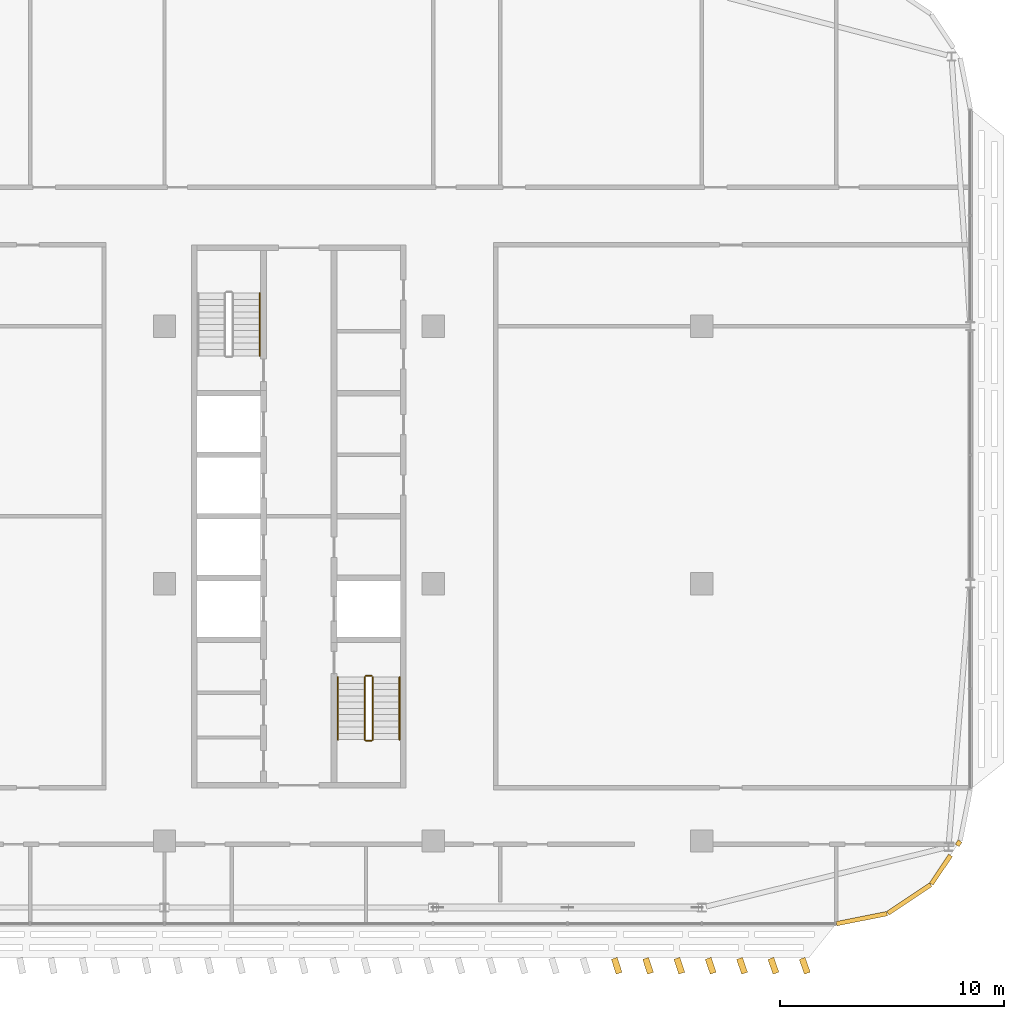
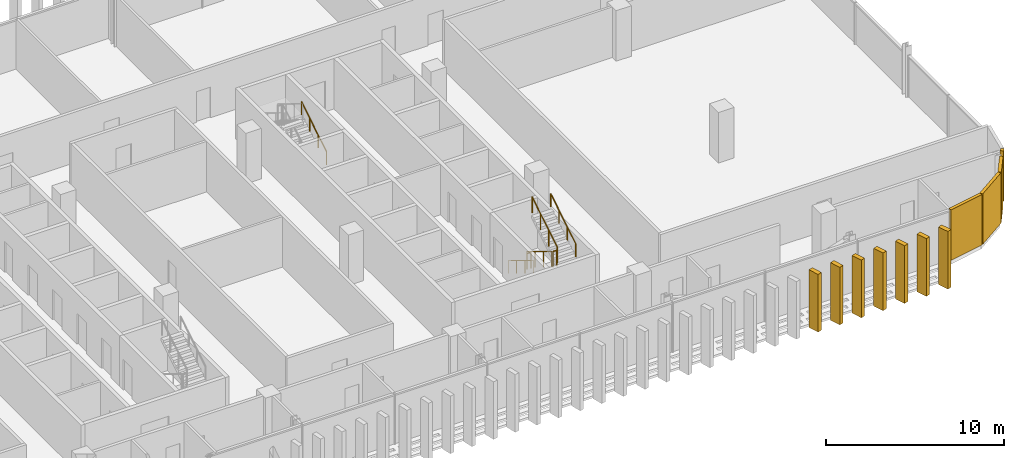
# One storey, part 33 of 34: 11 coverings, 7 railings.
"""IFC4 building model written with IfcOpenShell, lengths in metres."""

import ifcopenshell
import ifcopenshell.guid

model = None  # the IFC model being written
_history = None  # IfcOwnerHistory: only IFC2X3 demands one
_inside = {}  # id of a spatial element -> (the spatial element, [elements in it])
_under = {}  # id of a project, library or spatial element -> (it, [spatial elements below it])
_declared = {}  # id of a project -> (the project, [libraries it declares])
_typed = {}  # id of a type object -> (the type object, [elements of that type])
_made_of = {}  # id of a material, layer set ... -> (it, [elements and type objects made of it])


def new_model(schema):
    """Start an empty IFC model of exactly this schema.

    Asked for "IFC4X3", IfcOpenShell would pick the latest addendum, in which some entities
    have other attributes; the version numbers below select the first issue.
    IFC2X3 requires an IfcOwnerHistory on every rooted entity: one is made here for all.
    """
    global model, _history
    if schema == "IFC4X3":
        model = ifcopenshell.file(schema_version=(4, 3, 0, 0))
    else:
        model = ifcopenshell.file(schema=schema)
    _inside.clear()
    _under.clear()
    _declared.clear()
    _typed.clear()
    _made_of.clear()
    _history = None
    if model.schema == "IFC2X3":
        org = make("IfcOrganization", Name="unknown")
        user = make(
            "IfcPersonAndOrganization",
            ThePerson=make("IfcPerson", FamilyName="unknown"),
            TheOrganization=org,
        )
        app = make(
            "IfcApplication",
            ApplicationDeveloper=org,
            Version="unknown",
            ApplicationFullName="unknown",
            ApplicationIdentifier="unknown",
        )
        _history = make(
            "IfcOwnerHistory",
            OwningUser=user,
            OwningApplication=app,
            ChangeAction="ADDED",
            CreationDate=0,
        )
    return model


def make(cls, **values):
    """One entity of the class cls with the attributes given. An attribute that is None is left unset."""
    return model.create_entity(
        cls, **{name: value for name, value in values.items() if value is not None}
    )


def rooted(cls, **values):
    """An entity with a GlobalId (a new one), such as an element, a storey or a relation."""
    return make(cls, GlobalId=ifcopenshell.guid.new(), OwnerHistory=_history, **values)


def si_unit(unit_type, name, prefix=None):
    """IfcSIUnit, for example si_unit("LENGTHUNIT", "METRE", prefix="MILLI")."""
    return make("IfcSIUnit", UnitType=unit_type, Prefix=prefix, Name=name)


def assignment(units):
    """IfcUnitAssignment: the units of a project."""
    return None if units is None else make("IfcUnitAssignment", Units=units)


def point(xyz):
    """IfcCartesianPoint."""
    return None if xyz is None else make("IfcCartesianPoint", Coordinates=xyz)


def direction(xyz):
    """IfcDirection."""
    return None if xyz is None else make("IfcDirection", DirectionRatios=xyz)


def frame(location, z_axis=None, x_axis=None):
    """IfcAxis2Placement3D, a coordinate frame: its origin and axes. An axis left out is left unset."""
    return make(
        "IfcAxis2Placement3D",
        Location=point(location),
        Axis=direction(z_axis),
        RefDirection=direction(x_axis),
    )


def frame_2d(location, x_axis=None):
    """IfcAxis2Placement2D, a coordinate frame in the plane: its origin and x axis."""
    return make(
        "IfcAxis2Placement2D", Location=point(location), RefDirection=direction(x_axis)
    )


def origin():
    """The frame at (0, 0, 0) with its axes left unset."""
    return frame((0.0, 0.0, 0.0))


def origin_2d():
    """The frame at (0, 0) in the plane with its x axis left unset."""
    return frame_2d((0.0, 0.0))


def place(relative_to, where):
    """IfcLocalPlacement: puts the frame where relative to a parent placement (None: the world)."""
    return make(
        "IfcLocalPlacement", PlacementRelTo=relative_to, RelativePlacement=where
    )


def context(
    kind, dimensions, precision=None, world=None, true_north=None, identifier=None
):
    """IfcGeometricRepresentationContext, for example the 3D "Model" context."""
    return make(
        "IfcGeometricRepresentationContext",
        ContextIdentifier=identifier,
        ContextType=kind,
        CoordinateSpaceDimension=dimensions,
        Precision=precision,
        WorldCoordinateSystem=world,
        TrueNorth=true_north,
    )


def subcontext(parent, identifier, kind, view, scale=None):
    """IfcGeometricRepresentationSubContext, for example "Body" below "Model"."""
    return make(
        "IfcGeometricRepresentationSubContext",
        ContextIdentifier=identifier,
        ContextType=kind,
        ParentContext=parent,
        TargetScale=scale,
        TargetView=view,
    )


def project(units=None, contexts=None):
    """IfcProject with its units and contexts."""
    return rooted(
        "IfcProject",
        Name="project",
        RepresentationContexts=contexts,
        UnitsInContext=assignment(units),
    )


def spatial(cls, under=None, at=None, **own):
    """A site, building, storey or space (cls), placed at a placement, below another one or the project."""
    s = rooted(cls, ObjectPlacement=at, **own)
    if under is not None:
        _under.setdefault(under.id(), (under, []))[1].append(s)
    return s


def profile(cls, at=None, kind="AREA", **sizes):
    """A parametric profile (cls). Its sizes go by their IFC names, for example OverallWidth=200.0."""
    return make(cls, ProfileType=kind, Position=at, **sizes)


def rectangle(**sizes):
    """IfcRectangleProfileDef."""
    return profile("IfcRectangleProfileDef", **sizes)


def circle(**sizes):
    """IfcCircleProfileDef."""
    return profile("IfcCircleProfileDef", **sizes)


def extrude(swept, where, along, depth):
    """IfcExtrudedAreaSolid: the profile swept, set in the frame where, extruded along a direction by depth."""
    return make(
        "IfcExtrudedAreaSolid",
        SweptArea=swept,
        Position=where,
        ExtrudedDirection=direction(along),
        Depth=depth,
    )


def shape(context_of_items, identifier, shape_type, items):
    """IfcShapeRepresentation: the items that make up one representation, for example the "Body"."""
    return make(
        "IfcShapeRepresentation",
        ContextOfItems=context_of_items,
        RepresentationIdentifier=identifier,
        RepresentationType=shape_type,
        Items=items,
    )


def material(Name=None, Category=None):
    """IfcMaterial."""
    return make("IfcMaterial", Name=Name, Category=Category)


def layer(
    of_material, thickness, ventilated=None, Name=None, Category=None, Priority=None
):
    """IfcMaterialLayer: one layer of a wall or slab, of a material (None: an air gap)."""
    return make(
        "IfcMaterialLayer",
        Material=of_material,
        LayerThickness=thickness,
        IsVentilated=ventilated,
        Name=Name,
        Category=Category,
        Priority=Priority,
    )


def layer_set(layers, Name=None):
    """IfcMaterialLayerSet."""
    return make("IfcMaterialLayerSet", MaterialLayers=layers, LayerSetName=Name)


def made_of(thing, what):
    """Note that an element or type object is made of a material, layer set ...; save() writes the relation."""
    if what is not None:
        _made_of.setdefault(what.id(), (what, []))[1].append(thing)
    return thing


def type_object(cls, material=None, **own):
    """A type object (cls), such as IfcWallType, which elements share."""
    return made_of(rooted(cls, **own), material)


def element(
    cls,
    number,
    at=None,
    inside=None,
    cuts=None,
    type_object=None,
    material=None,
    context=None,
    identifier="Body",
    shape_type=None,
    held_by="IfcProductDefinitionShape",
    body=None,
    shapes=None,
    **own,
):
    """One element of the class cls, such as IfcWall. Its Tag is "e" and its number.

    at: its placement. inside: the storey or other place that contains it. cuts: it is an
    opening in that element (IfcRelVoidsElement). A single representation is given by context,
    identifier, shape_type and body (its items); several are given by shapes. held_by: the class
    of the entity that holds the representations. save() writes the other relations.
    """
    e = rooted(cls, Tag="e%d" % number, ObjectPlacement=at, **own)
    if body is not None:
        shapes = [shape(context, identifier, shape_type, body)]
    if shapes is not None:
        e.Representation = make(held_by, Representations=shapes)
    if inside is not None:
        _inside.setdefault(inside.id(), (inside, []))[1].append(e)
    if cuts is not None:
        rooted(
            "IfcRelVoidsElement", RelatingBuildingElement=cuts, RelatedOpeningElement=e
        )
    if type_object is not None:
        _typed.setdefault(type_object.id(), (type_object, []))[1].append(e)
    return made_of(e, material)


def aggregate(whole, parts):
    """IfcRelAggregates: a whole, such as a stair, and the parts it consists of."""
    return rooted("IfcRelAggregates", RelatingObject=whole, RelatedObjects=parts)


def save(model, path):
    """Write the relations noted so far, then the file.

    IfcRelAggregates (storeys below a building ...), IfcRelContainedInSpatialStructure (elements
    in a storey), IfcRelDefinesByType, IfcRelAssociatesMaterial and IfcRelDeclares: one each for
    every whole, place, type object, material and project.
    """
    for whole, parts in _under.values():
        aggregate(whole, parts)
    for where, things in _inside.values():
        rooted(
            "IfcRelContainedInSpatialStructure",
            RelatedElements=things,
            RelatingStructure=where,
        )
    for kind, things in _typed.values():
        rooted("IfcRelDefinesByType", RelatedObjects=things, RelatingType=kind)
    for what, things in _made_of.values():
        rooted("IfcRelAssociatesMaterial", RelatedObjects=things, RelatingMaterial=what)
    for by, libraries in _declared.values():
        rooted("IfcRelDeclares", RelatingContext=by, RelatedDefinitions=libraries)
    model.write(path)


model = new_model("IFC4")

# Units and contexts
model_context = context("Model", 3, precision=1e-05, world=origin(), true_north=direction((0.0, 1.0)))
body_context = subcontext(model_context, "Body", "Model", "MODEL_VIEW")
ifc_project = project(units=[si_unit("LENGTHUNIT", "METRE"), si_unit("AREAUNIT", "SQUARE_METRE"), si_unit("VOLUMEUNIT", "CUBIC_METRE"), si_unit("PLANEANGLEUNIT", "RADIAN"), si_unit("MASSUNIT", "GRAM", prefix="KILO")], contexts=[model_context])

# Site, building, storey
site_placement = place(None, origin())
site = spatial("IfcSite", under=ifc_project, at=site_placement, CompositionType="ELEMENT")
building_placement = place(site_placement, origin())
building = spatial("IfcBuilding", under=site, at=building_placement, Name="Mahtab Terrace Research Tower", CompositionType="ELEMENT")
storey_placement = place(building_placement, frame((0.0, 0.0, 247.60009765625)))
storey = spatial("IfcBuildingStorey", under=building, at=storey_placement, Name="L60", CompositionType="ELEMENT", Elevation=247.60009765625)

# Coverings
ifc_material_1 = material(Name="Black aluminium cladding panel", Category="aluminium")
ifc_layer_1 = layer(ifc_material_1, 0.199951171875)
ifc_layer_set_1 = layer_set([ifc_layer_1], Name="Black metal corner cladding 200")
covering_type_1 = type_object("IfcCoveringType", Name="Black metal corner cladding 200", PredefinedType="CLADDING", material=ifc_layer_set_1)
for number, where, z_axis, x_axis, name in (
    (1, (49.14794921875, -14.966552734375, 0.0), (0.0, 0.0, 1.0), (0.980760981187, 0.195212442692, 0.0), "Corner cladding L60 16"),
    (2, (51.26953125, -14.087890625, 0.0), (0.0, 0.0, 1.0), (0.831655794326, 0.555291490808, 0.0), "Corner cladding L60 17"),
):
    element("IfcCovering", number, at=place(storey_placement, frame(where, z_axis=z_axis, x_axis=x_axis)), inside=storey, type_object=covering_type_1, Name=name, PredefinedType="CLADDING", context=body_context, shape_type="SweptSolid", body=[
        extrude(rectangle(XDim=2.30126953125, YDim=0.199951171875, at=origin_2d()), origin(), (0.0, 0.0, 1.0), 3.4599609375),
    ])
covering_1_placement = place(storey_placement, frame((52.68212890625, -12.780517578125, 0.0), z_axis=(0.0, 0.0, 1.0), x_axis=(0.555291490808, 0.831655794326, 0.0)))
element("IfcCovering", 3, at=covering_1_placement, inside=storey, type_object=covering_type_1, Name="Corner cladding L60 18", PredefinedType="CLADDING", context=body_context, shape_type="SweptSolid", body=[
    extrude(rectangle(XDim=1.541748046875, YDim=0.199951171875, at=origin_2d()), origin(), (0.0, 0.0, 1.0), 3.4599609375),
])
covering_2_placement = place(storey_placement, frame((53.472412109375, -11.5966796875, 0.0), z_axis=(0.0, 0.0, 1.0), x_axis=(0.555291490808, 0.831655794326, 0.0)))
element("IfcCovering", 4, at=covering_2_placement, inside=storey, type_object=covering_type_1, Name="Corner cladding L60 19", PredefinedType="CLADDING", context=body_context, shape_type="SweptSolid", body=[
    extrude(rectangle(XDim=0.234130859375, YDim=0.199951171875, at=origin_2d()), origin(), (0.0, 0.0, 1.0), 3.4599609375),
])

# Railings
ifc_material_2 = material(Name="Stainless steel AISI 304", Category="steel")
railing_type_1 = type_object("IfcRailingType", Name="Stair guard 1100", PredefinedType="GUARDRAIL", material=ifc_material_2)
railing_1_placement = place(storey_placement, frame((26.949951171875, -4.175048828125, 0.172607421875)))
element("IfcRailing", 5, at=railing_1_placement, inside=storey, type_object=railing_type_1, Name="L60 ST4 stair guard 1", PredefinedType="GUARDRAIL", context=body_context, shape_type="SweptSolid", body=[
    extrude(circle(Radius=0.02392578125, at=origin_2d()), frame((0.0, 0.0, 1.076171875), z_axis=(0.0, -0.851089632645, 0.525020415988), x_axis=(1.0, 0.0, 0.0)), (0.0, 0.0, 1.0), 3.2900390625),
    extrude(circle(Radius=0.02099609375, at=origin_2d()), origin(), (0.0, 0.0, 1.0), 1.052001953125),
    extrude(circle(Radius=0.02099609375, at=origin_2d()), frame((0.0, -0.933349609375, 0.57568359375)), (0.0, 0.0, 1.0), 1.052001953125),
    extrude(circle(Radius=0.02099609375, at=origin_2d()), frame((0.0, -1.86669921875, 1.151611328125)), (0.0, 0.0, 1.0), 1.052001953125),
    extrude(circle(Radius=0.02099609375, at=origin_2d()), frame((0.0, -2.800048828125, 1.727294921875)), (0.0, 0.0, 1.0), 1.052001953125),
])
railing_2_placement = place(storey_placement, frame((27.0, -7.02490234375, 1.89990234375)))
element("IfcRailing", 6, at=railing_2_placement, inside=storey, type_object=railing_type_1, Name="L60 ST4 stair guard 2", PredefinedType="GUARDRAIL", context=body_context, shape_type="SweptSolid", body=[
    extrude(circle(Radius=0.02392578125, at=origin_2d()), frame((0.0, 0.0, 1.076171875), z_axis=(1.0, 0.0, 0.0), x_axis=(0.0, 1.0, 0.0)), (0.0, 0.0, 1.0), 0.25),
    extrude(circle(Radius=0.02099609375, at=origin_2d()), origin(), (0.0, 0.0, 1.0), 1.052001953125),
    extrude(circle(Radius=0.02099609375, at=origin_2d()), frame((0.25, 0.0, 0.0)), (0.0, 0.0, 1.0), 1.052001953125),
])
railing_3_placement = place(storey_placement, frame((27.300048828125, -6.97509765625, 2.072509765625)))
element("IfcRailing", 7, at=railing_3_placement, inside=storey, type_object=railing_type_1, Name="L60 ST4 stair guard 3", PredefinedType="GUARDRAIL", context=body_context, shape_type="SweptSolid", body=[
    extrude(circle(Radius=0.02392578125, at=origin_2d()), frame((0.0, 0.0, 1.076171875), z_axis=(0.0, 0.851089632645, 0.525020415988), x_axis=(-1.0, 0.0, 0.0)), (0.0, 0.0, 1.0), 3.2900390625),
    extrude(circle(Radius=0.02099609375, at=origin_2d()), origin(), (0.0, 0.0, 1.0), 1.052001953125),
    extrude(circle(Radius=0.02099609375, at=origin_2d()), frame((0.0, 0.933349609375, 0.57568359375)), (0.0, 0.0, 1.0), 1.052001953125),
    extrude(circle(Radius=0.02099609375, at=origin_2d()), frame((0.0, 1.86669921875, 1.151611328125)), (0.0, 0.0, 1.0), 1.052001953125),
    extrude(circle(Radius=0.02099609375, at=origin_2d()), frame((0.0, 2.800048828125, 1.727294921875)), (0.0, 0.0, 1.0), 1.052001953125),
])
railing_4_placement = place(storey_placement, frame((27.0, -4.125, 0.0)))
element("IfcRailing", 8, at=railing_4_placement, inside=storey, type_object=railing_type_1, Name="L60 ST4 stair guard 4", PredefinedType="GUARDRAIL", context=body_context, shape_type="SweptSolid", body=[
    extrude(circle(Radius=0.02392578125, at=origin_2d()), frame((0.0, 0.0, 1.076171875), z_axis=(1.0, 0.0, 0.0), x_axis=(0.0, 1.0, 0.0)), (0.0, 0.0, 1.0), 0.25),
    extrude(circle(Radius=0.02099609375, at=origin_2d()), origin(), (0.0, 0.0, 1.0), 1.052001953125),
    extrude(circle(Radius=0.02099609375, at=origin_2d()), frame((0.25, 0.0, 0.0)), (0.0, 0.0, 1.0), 1.052001953125),
])
railing_type_2 = type_object("IfcRailingType", Name="Stair handrail 900", PredefinedType="HANDRAIL", material=ifc_material_2)
railing_5_placement = place(storey_placement, frame((22.25, 10.175048828125, 0.172607421875)))
element("IfcRailing", 9, at=railing_5_placement, inside=storey, type_object=railing_type_2, Name="L60 ST3 stair handrail 1", PredefinedType="HANDRAIL", context=body_context, shape_type="SweptSolid", body=[
    extrude(circle(Radius=0.02392578125, at=origin_2d()), frame((0.0, 0.0, 0.8759765625), z_axis=(0.0, 0.851089632645, 0.525020415988), x_axis=(-1.0, 0.0, 0.0)), (0.0, 0.0, 1.0), 3.2900390625),
    extrude(circle(Radius=0.02099609375, at=origin_2d()), origin(), (0.0, 0.0, 1.0), 0.851806640625),
    extrude(circle(Radius=0.02099609375, at=origin_2d()), frame((0.0, 0.933349609375, 0.57568359375)), (0.0, 0.0, 1.0), 0.851806640625),
    extrude(circle(Radius=0.02099609375, at=origin_2d()), frame((0.0, 1.86669921875, 1.151611328125)), (0.0, 0.0, 1.0), 0.851806640625),
    extrude(circle(Radius=0.02099609375, at=origin_2d()), frame((0.0, 2.800048828125, 1.727294921875)), (0.0, 0.0, 1.0), 0.851806640625),
])
railing_6_placement = place(storey_placement, frame((25.75, -4.175048828125, 0.172607421875)))
element("IfcRailing", 10, at=railing_6_placement, inside=storey, type_object=railing_type_2, Name="L60 ST4 stair handrail 1", PredefinedType="HANDRAIL", context=body_context, shape_type="SweptSolid", body=[
    extrude(circle(Radius=0.02392578125, at=origin_2d()), frame((0.0, 0.0, 0.8759765625), z_axis=(0.0, -0.851089632645, 0.525020415988), x_axis=(1.0, 0.0, 0.0)), (0.0, 0.0, 1.0), 3.2900390625),
    extrude(circle(Radius=0.02099609375, at=origin_2d()), origin(), (0.0, 0.0, 1.0), 0.851806640625),
    extrude(circle(Radius=0.02099609375, at=origin_2d()), frame((0.0, -0.933349609375, 0.57568359375)), (0.0, 0.0, 1.0), 0.851806640625),
    extrude(circle(Radius=0.02099609375, at=origin_2d()), frame((0.0, -1.86669921875, 1.151611328125)), (0.0, 0.0, 1.0), 0.851806640625),
    extrude(circle(Radius=0.02099609375, at=origin_2d()), frame((0.0, -2.800048828125, 1.727294921875)), (0.0, 0.0, 1.0), 0.851806640625),
])
railing_7_placement = place(storey_placement, frame((28.5, -6.97509765625, 2.072509765625)))
element("IfcRailing", 11, at=railing_7_placement, inside=storey, type_object=railing_type_2, Name="L60 ST4 stair handrail 2", PredefinedType="HANDRAIL", context=body_context, shape_type="SweptSolid", body=[
    extrude(circle(Radius=0.02392578125, at=origin_2d()), frame((0.0, 0.0, 0.8759765625), z_axis=(0.0, 0.851089632645, 0.525020415988), x_axis=(-1.0, 0.0, 0.0)), (0.0, 0.0, 1.0), 3.2900390625),
    extrude(circle(Radius=0.02099609375, at=origin_2d()), origin(), (0.0, 0.0, 1.0), 0.851806640625),
    extrude(circle(Radius=0.02099609375, at=origin_2d()), frame((0.0, 0.933349609375, 0.57568359375)), (0.0, 0.0, 1.0), 0.851806640625),
    extrude(circle(Radius=0.02099609375, at=origin_2d()), frame((0.0, 1.86669921875, 1.151611328125)), (0.0, 0.0, 1.0), 0.851806640625),
    extrude(circle(Radius=0.02099609375, at=origin_2d()), frame((0.0, 2.800048828125, 1.727294921875)), (0.0, 0.0, 1.0), 0.851806640625),
])

# Coverings
ifc_material_3 = material(Name="Bronze anodised aluminium", Category="aluminium")
ifc_layer_2 = layer(ifc_material_3, 0.1201171875)
ifc_layer_set_2 = layer_set([ifc_layer_2], Name="Vertical fin 700")
covering_type_2 = type_object("IfcCoveringType", Name="Vertical fin 700", PredefinedType="CLADDING", material=ifc_layer_set_2)
for number, where, z_axis, x_axis, name in (
    (12, (38.199951171875, -17.071044921875, -0.14990234375), (0.0, 0.0, 1.0), (0.952838199286, 0.303478773527, 0.0), "Fin L60 S53"),
    (13, (39.60009765625, -17.071044921875, -0.14990234375), (0.0, 0.0, 1.0), (0.951056516295, 0.309016994375, 0.0), "Fin L60 S54"),
    (14, (41.0, -17.0712890625, -0.14990234375), (0.0, 0.0, 1.0), (0.949242643575, 0.314544756146, 0.0), "Fin L60 S55"),
    (15, (42.39990234375, -17.0712890625, -0.14990234375), (0.0, 0.0, 1.0), (0.947396642512, 0.320061871762, 0.0), "Fin L60 S56"),
    (16, (43.800048828125, -17.071533203125, -0.14990234375), (0.0, 0.0, 1.0), (0.945518575599, 0.325568154457, 0.0), "Fin L60 S57"),
    (17, (45.199951171875, -17.071533203125, -0.14990234375), (0.0, 0.0, 1.0), (0.943608506396, 0.331063417879, 0.0), "Fin L60 S58"),
    (18, (46.60009765625, -17.07177734375, -0.14990234375), (0.0, 0.0, 1.0), (0.941666499544, 0.336547476052, 0.0), "Fin L60 S59"),
):
    element("IfcCovering", number, at=place(storey_placement, frame(where, z_axis=z_axis, x_axis=x_axis)), inside=storey, type_object=covering_type_2, Name=name, PredefinedType="CLADDING", context=body_context, shape_type="SweptSolid", body=[
        extrude(rectangle(XDim=0.280029296875, YDim=0.699951171875, at=origin_2d()), origin(), (0.0, 0.0, 1.0), 3.949951171875),
    ])

save(model, "model.ifc")
